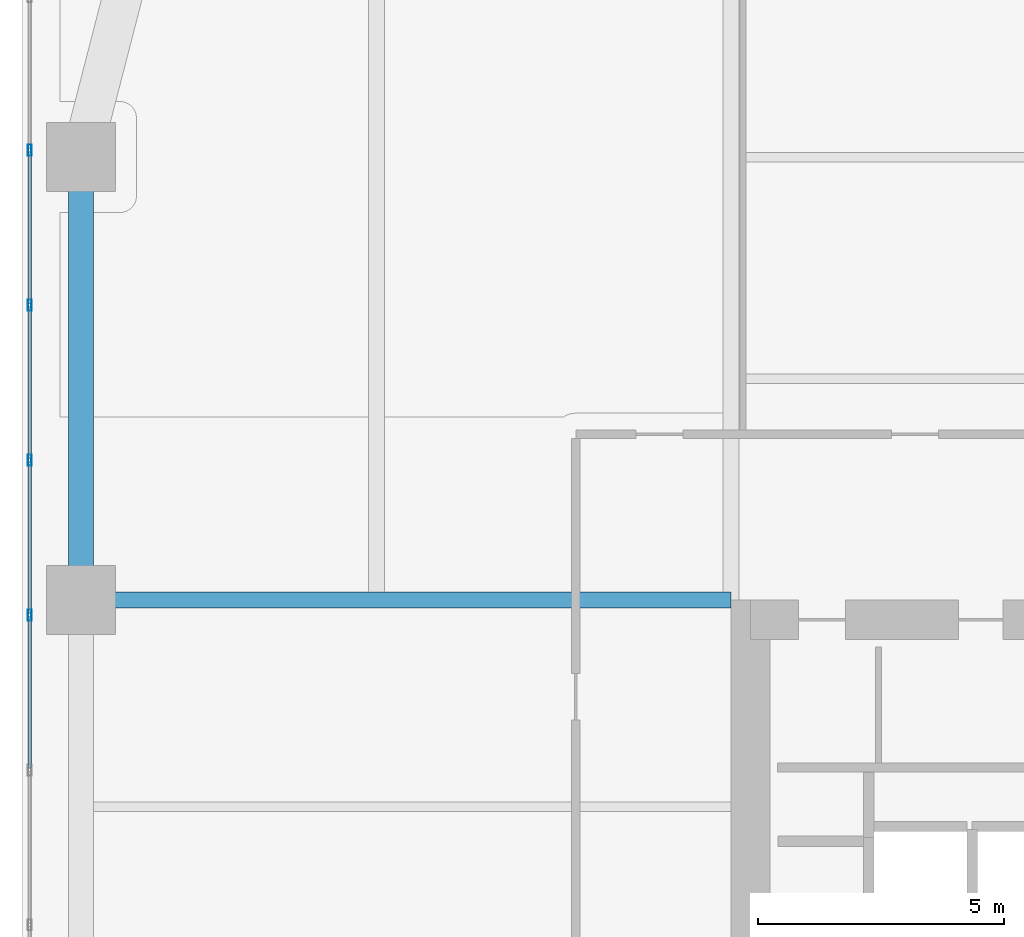
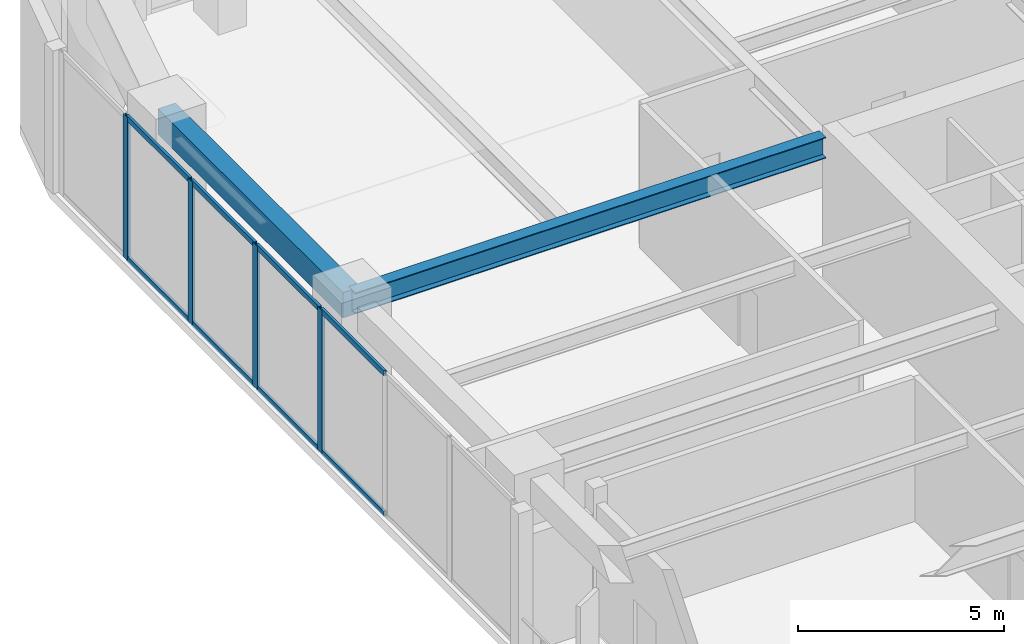
# One storey, part 7 of 23: 12 members, 2 beams, 1 element without a shape of its own.
"""IFC4 building model written with IfcOpenShell, lengths in metres."""

from ifc_helpers import new_model, si_unit, direction, frame, origin, origin_2d, place, context, subcontext, project, spatial, rectangle, hollow_rectangle, i_section, extrude, material, layer, layer_set, material_profile, profile_set, type_object, element, aggregate, save


model = new_model("IFC4")

# Units and contexts
model_context = context("Model", 3, precision=1e-05, world=origin(), true_north=direction((0.0, 1.0)))
body_context = subcontext(model_context, "Body", "Model", "MODEL_VIEW")
ifc_project = project(units=[si_unit("LENGTHUNIT", "METRE"), si_unit("AREAUNIT", "SQUARE_METRE"), si_unit("VOLUMEUNIT", "CUBIC_METRE"), si_unit("PLANEANGLEUNIT", "RADIAN"), si_unit("MASSUNIT", "GRAM", prefix="KILO")], contexts=[model_context])

# Site, building, storey
site_placement = place(None, origin())
site = spatial("IfcSite", under=ifc_project, at=site_placement, CompositionType="ELEMENT")
building_placement = place(site_placement, origin())
building = spatial("IfcBuilding", under=site, at=building_placement, Name="Kiyonajd Concourse Tower", CompositionType="ELEMENT")
storey_placement = place(building_placement, frame((0.0, 0.0, 120.89990234375)))
storey = spatial("IfcBuildingStorey", under=building, at=storey_placement, Name="L31", CompositionType="ELEMENT", Elevation=120.89990234375)

# Beams
ifc_material_1 = material(Name="Precast concrete C50/60", Category="concrete")
ifc_material_profile_1 = material_profile(ifc_material_1, rectangle(XDim=0.5, YDim=0.75, at=origin_2d()), Name="RCBM-500x750")
ifc_profile_set_1 = profile_set([ifc_material_profile_1], Name="Precast concrete C50/60")
beam_type_1 = type_object("IfcBeamType", Name="BM-SPAN-RC", PredefinedType="SPANDREL", material=ifc_profile_set_1)
beam_1_placement = place(storey_placement, frame((19.199951171875, 53.39990234375, 3.864990234375), z_axis=(0.0, -1.0, 0.0), x_axis=(1.0, 0.0, 0.0)))
element("IfcBeam", 1, at=beam_1_placement, inside=storey, type_object=beam_type_1, Name="L31 Perimeter Bundled Tube Spandrel", PredefinedType="SPANDREL", context=body_context, shape_type="SweptSolid", body=[
    extrude(rectangle(XDim=0.5, YDim=0.75, at=origin_2d()), origin(), (0.0, 0.0, 1.0), 9.0),
])
ifc_material_2 = material(Name="Steel ASTM A992 Grade 50", Category="steel")
ifc_material_profile_2 = material_profile(ifc_material_2, i_section(OverallWidth=0.326904296875, OverallDepth=0.6220703125, WebThickness=0.015380859375, FlangeThickness=0.0244140625, at=origin_2d()), Name="W610X195")
ifc_profile_set_2 = profile_set([ifc_material_profile_2], Name="Steel ASTM A992 Grade 50")
beam_type_2 = type_object("IfcBeamType", Name="BM-TWR-610A", PredefinedType="BEAM", material=ifc_profile_set_2)
beam_2_placement = place(storey_placement, frame((19.199951171875, 44.39990234375, 3.92919921875), z_axis=(1.0, 0.0, 0.0), x_axis=(0.0, 1.0, 0.0)))
element("IfcBeam", 2, at=beam_2_placement, inside=storey, type_object=beam_type_2, Name="L31 West Lease Girder", PredefinedType="BEAM", context=body_context, shape_type="SweptSolid", body=[
    extrude(i_section(OverallWidth=0.326904296875, OverallDepth=0.6220703125, WebThickness=0.015380859375, FlangeThickness=0.0244140625, at=origin_2d()), origin(), (0.0, 0.0, 1.0), 13.199951171875),
])

# Curtain wall, members
ifc_material_3 = material(Name="Thermally Broken Anodised Aluminium", Category="aluminium")
ifc_layer = layer(ifc_material_3, 0.179931640625)
ifc_layer_set = layer_set([ifc_layer], Name="Thermally Broken Anodised Aluminium")
curtain_wall_type = type_object("IfcCurtainWallType", Name="CW-SYS-05", PredefinedType="NOTDEFINED", material=ifc_layer_set)
curtain_wall_placement = place(storey_placement, origin())
curtain_wall = element("IfcCurtainWall", 3, at=curtain_wall_placement, inside=storey, type_object=curtain_wall_type, Name="L31 Unitised Curtain Wall CW5", PredefinedType="NOTDEFINED")
ifc_material_profile_3 = material_profile(ifc_material_3, hollow_rectangle(XDim=0.074951171875, YDim=0.219970703125, WallThickness=0.0048828125, at=origin_2d()), Name="MULL-75x220")
ifc_profile_set_3 = profile_set([ifc_material_profile_3], Name="Thermally Broken Anodised Aluminium")
member_type_1 = type_object("IfcMemberType", Name="MB-CW-MULL2", PredefinedType="MULLION", material=ifc_profile_set_3)
member_1_placement = place(storey_placement, frame((18.159912109375, 44.09521484375, 0.0), z_axis=(0.0, 0.0, 1.0), x_axis=(-1.0, 0.0, 0.0)))
member_1 = element("IfcMember", 4, at=member_1_placement, type_object=member_type_1, Name="CW5 mullion 4", PredefinedType="MULLION", context=body_context, shape_type="SweptSolid", body=[
    extrude(hollow_rectangle(XDim=0.074951171875, YDim=0.219970703125, WallThickness=0.0048828125, at=origin_2d()), origin(), (0.0, 0.0, 1.0), 4.239990234375),
])
member_2_placement = place(storey_placement, frame((18.159912109375, 47.24365234375, 0.0), z_axis=(0.0, 0.0, 1.0), x_axis=(-1.0, 0.0, 0.0)))
member_2 = element("IfcMember", 5, at=member_2_placement, type_object=member_type_1, Name="CW5 mullion 5", PredefinedType="MULLION", context=body_context, shape_type="SweptSolid", body=[
    extrude(hollow_rectangle(XDim=0.074951171875, YDim=0.219970703125, WallThickness=0.0048828125, at=origin_2d()), origin(), (0.0, 0.0, 1.0), 4.239990234375),
])
member_3_placement = place(storey_placement, frame((18.159912109375, 50.39208984375, 0.0), z_axis=(0.0, 0.0, 1.0), x_axis=(-1.0, 0.0, 0.0)))
member_3 = element("IfcMember", 6, at=member_3_placement, type_object=member_type_1, Name="CW5 mullion 6", PredefinedType="MULLION", context=body_context, shape_type="SweptSolid", body=[
    extrude(hollow_rectangle(XDim=0.074951171875, YDim=0.219970703125, WallThickness=0.0048828125, at=origin_2d()), origin(), (0.0, 0.0, 1.0), 4.239990234375),
])
member_4_placement = place(storey_placement, frame((18.159912109375, 53.54052734375, 0.0), z_axis=(0.0, 0.0, 1.0), x_axis=(-1.0, 0.0, 0.0)))
member_4 = element("IfcMember", 7, at=member_4_placement, type_object=member_type_1, Name="CW5 mullion 7", PredefinedType="MULLION", context=body_context, shape_type="SweptSolid", body=[
    extrude(hollow_rectangle(XDim=0.074951171875, YDim=0.219970703125, WallThickness=0.0048828125, at=origin_2d()), origin(), (0.0, 0.0, 1.0), 4.239990234375),
])
ifc_material_profile_4 = material_profile(ifc_material_3, hollow_rectangle(XDim=0.074951171875, YDim=0.159912109375, WallThickness=0.0048828125, at=origin_2d()), Name="TRAN-75x160")
ifc_profile_set_4 = profile_set([ifc_material_profile_4], Name="Thermally Broken Anodised Aluminium")
member_type_2 = type_object("IfcMemberType", Name="MB-CW-TRAN2", PredefinedType="USERDEFINED", material=ifc_profile_set_4)
member_5_placement = place(storey_placement, frame((18.159912109375, 40.984375, 0.03759765625), z_axis=(0.0, 1.0, 0.0), x_axis=(-1.0, 0.0, 0.0)))
member_5 = element("IfcMember", 8, at=member_5_placement, type_object=member_type_2, Name="CW5 transom 3.1", ObjectType="TRANSOM", PredefinedType="USERDEFINED", context=body_context, shape_type="SweptSolid", body=[
    extrude(hollow_rectangle(XDim=0.074951171875, YDim=0.159912109375, WallThickness=0.0048828125, at=origin_2d()), origin(), (0.0, 0.0, 1.0), 3.073486328125),
])
member_6_placement = place(storey_placement, frame((18.159912109375, 40.984375, 4.20263671875), z_axis=(0.0, 1.0, 0.0), x_axis=(-1.0, 0.0, 0.0)))
member_6 = element("IfcMember", 9, at=member_6_placement, type_object=member_type_2, Name="CW5 transom 3.2", ObjectType="TRANSOM", PredefinedType="USERDEFINED", context=body_context, shape_type="SweptSolid", body=[
    extrude(hollow_rectangle(XDim=0.074951171875, YDim=0.159912109375, WallThickness=0.0048828125, at=origin_2d()), origin(), (0.0, 0.0, 1.0), 3.073486328125),
])
member_7_placement = place(storey_placement, frame((18.159912109375, 44.1328125, 0.03759765625), z_axis=(0.0, 1.0, 0.0), x_axis=(-1.0, 0.0, 0.0)))
member_7 = element("IfcMember", 10, at=member_7_placement, type_object=member_type_2, Name="CW5 transom 4.1", ObjectType="TRANSOM", PredefinedType="USERDEFINED", context=body_context, shape_type="SweptSolid", body=[
    extrude(hollow_rectangle(XDim=0.074951171875, YDim=0.159912109375, WallThickness=0.0048828125, at=origin_2d()), origin(), (0.0, 0.0, 1.0), 3.0732421875),
])
member_8_placement = place(storey_placement, frame((18.159912109375, 44.1328125, 4.20263671875), z_axis=(0.0, 1.0, 0.0), x_axis=(-1.0, 0.0, 0.0)))
member_8 = element("IfcMember", 11, at=member_8_placement, type_object=member_type_2, Name="CW5 transom 4.2", ObjectType="TRANSOM", PredefinedType="USERDEFINED", context=body_context, shape_type="SweptSolid", body=[
    extrude(hollow_rectangle(XDim=0.074951171875, YDim=0.159912109375, WallThickness=0.0048828125, at=origin_2d()), origin(), (0.0, 0.0, 1.0), 3.0732421875),
])
member_9_placement = place(storey_placement, frame((18.159912109375, 47.28125, 0.03759765625), z_axis=(0.0, 1.0, 0.0), x_axis=(-1.0, 0.0, 0.0)))
member_9 = element("IfcMember", 12, at=member_9_placement, type_object=member_type_2, Name="CW5 transom 5.1", ObjectType="TRANSOM", PredefinedType="USERDEFINED", context=body_context, shape_type="SweptSolid", body=[
    extrude(hollow_rectangle(XDim=0.074951171875, YDim=0.159912109375, WallThickness=0.0048828125, at=origin_2d()), origin(), (0.0, 0.0, 1.0), 3.0732421875),
])
member_10_placement = place(storey_placement, frame((18.159912109375, 47.28125, 4.20263671875), z_axis=(0.0, 1.0, 0.0), x_axis=(-1.0, 0.0, 0.0)))
member_10 = element("IfcMember", 13, at=member_10_placement, type_object=member_type_2, Name="CW5 transom 5.2", ObjectType="TRANSOM", PredefinedType="USERDEFINED", context=body_context, shape_type="SweptSolid", body=[
    extrude(hollow_rectangle(XDim=0.074951171875, YDim=0.159912109375, WallThickness=0.0048828125, at=origin_2d()), origin(), (0.0, 0.0, 1.0), 3.0732421875),
])
member_11_placement = place(storey_placement, frame((18.159912109375, 50.4296875, 0.03759765625), z_axis=(0.0, 1.0, 0.0), x_axis=(-1.0, 0.0, 0.0)))
member_11 = element("IfcMember", 14, at=member_11_placement, type_object=member_type_2, Name="CW5 transom 6.1", ObjectType="TRANSOM", PredefinedType="USERDEFINED", context=body_context, shape_type="SweptSolid", body=[
    extrude(hollow_rectangle(XDim=0.074951171875, YDim=0.159912109375, WallThickness=0.0048828125, at=origin_2d()), origin(), (0.0, 0.0, 1.0), 3.0732421875),
])
member_12_placement = place(storey_placement, frame((18.159912109375, 50.4296875, 4.20263671875), z_axis=(0.0, 1.0, 0.0), x_axis=(-1.0, 0.0, 0.0)))
member_12 = element("IfcMember", 15, at=member_12_placement, type_object=member_type_2, Name="CW5 transom 6.2", ObjectType="TRANSOM", PredefinedType="USERDEFINED", context=body_context, shape_type="SweptSolid", body=[
    extrude(hollow_rectangle(XDim=0.074951171875, YDim=0.159912109375, WallThickness=0.0048828125, at=origin_2d()), origin(), (0.0, 0.0, 1.0), 3.0732421875),
])
aggregate(curtain_wall, [member_1, member_2, member_3, member_4, member_5, member_6, member_7, member_8, member_9, member_10, member_11, member_12])

save(model, "model.ifc")
